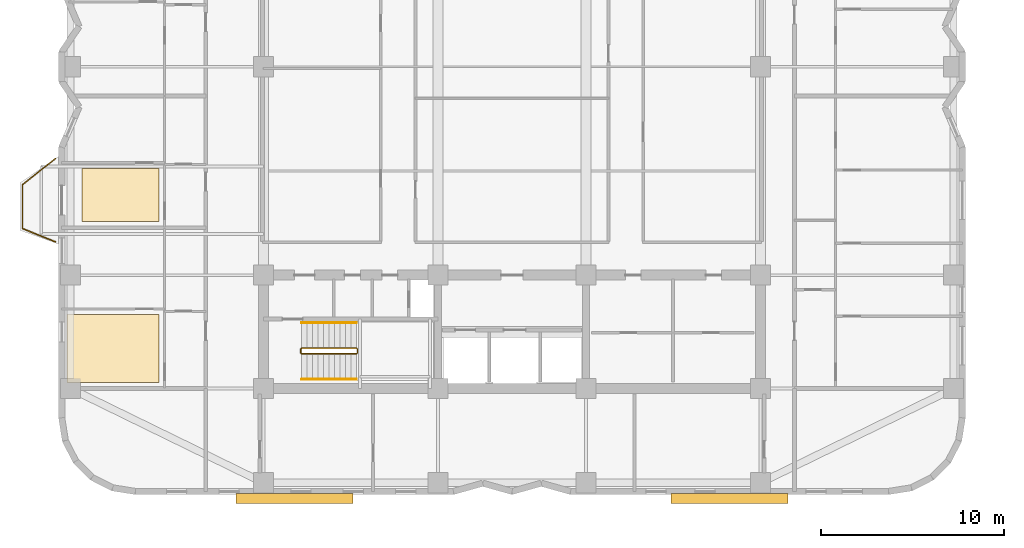
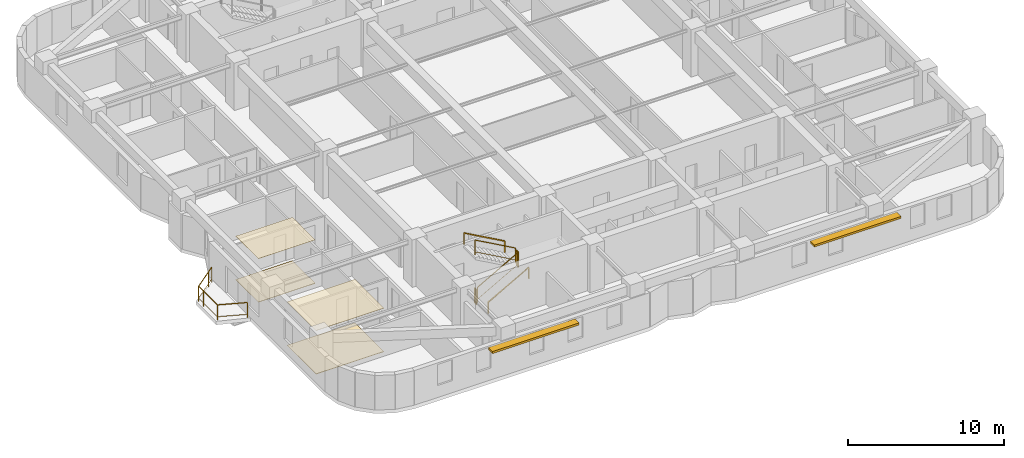
# One storey, part 9 of 10: 7 railings, 4 coverings, 2 shading devices.
"""IFC4 building model written with IfcOpenShell, lengths in metres."""

from ifc_helpers import new_model, si_unit, direction, frame, origin, origin_2d, place, context, subcontext, project, spatial, polyline, rectangle, outline, extrude, material, layer, layer_set, type_object, element, save


model = new_model("IFC4")

# Units and contexts
model_context = context("Model", 3, precision=1e-05, world=origin(), true_north=direction((0.0, 1.0)))
body_context = subcontext(model_context, "Body", "Model", "MODEL_VIEW")
ifc_project = project(units=[si_unit("LENGTHUNIT", "METRE"), si_unit("AREAUNIT", "SQUARE_METRE"), si_unit("VOLUMEUNIT", "CUBIC_METRE"), si_unit("PLANEANGLEUNIT", "RADIAN"), si_unit("MASSUNIT", "GRAM", prefix="KILO")], contexts=[model_context])

# Site, building, storey
site_placement = place(None, origin())
site = spatial("IfcSite", under=ifc_project, at=site_placement, CompositionType="ELEMENT")
building_placement = place(site_placement, origin())
building = spatial("IfcBuilding", under=site, at=building_placement, Name="Svetorya Sky Lyceum", CompositionType="ELEMENT")
storey_placement = place(building_placement, frame((0.0, 0.0, 95.699951171875)))
storey = spatial("IfcBuildingStorey", under=building, at=storey_placement, Name="L23", CompositionType="ELEMENT", Elevation=95.699951171875)

# Coverings
ifc_material_1 = material(Name="Perforated acoustic gypsum ceiling board")
ifc_layer_1 = layer(ifc_material_1, 0.01806640625)
ifc_layer_set_1 = layer_set([ifc_layer_1], Name="Perforated acoustic gypsum ceiling board")
covering_type_1 = type_object("IfcCoveringType", Name="COV-CLG-GYP", PredefinedType="CEILING", material=ifc_layer_set_1)
covering_1_placement = place(storey_placement, frame((0.0, 0.0, 3.402099609375)))
element("IfcCovering", 1, at=covering_1_placement, inside=storey, type_object=covering_type_1, Name="Apartment W1 Living Room Acoustic Ceiling", PredefinedType="CEILING", context=body_context, shape_type="SweptSolid", body=[
    extrude(outline(polyline([(14.8701171875, 10.929931640625), (19.889892578125, 10.929931640625), (19.889892578125, 14.639892578125), (14.8701171875, 14.639892578125), (14.8701171875, 10.929931640625)])), origin(), (0.0, 0.0, 1.0), 0.01806640625),
])
covering_2_placement = place(storey_placement, frame((0.0, 0.0, 3.402099609375)))
element("IfcCovering", 2, at=covering_2_placement, inside=storey, type_object=covering_type_1, Name="Apartment W2 Living Room Acoustic Ceiling", PredefinedType="CEILING", context=body_context, shape_type="SweptSolid", body=[
    extrude(outline(polyline([(15.6904296875, 19.72998046875), (19.889892578125, 19.72998046875), (19.889892578125, 22.639892578125), (15.6904296875, 22.639892578125), (15.6904296875, 19.72998046875)])), origin(), (0.0, 0.0, 1.0), 0.01806640625),
])
ifc_material_2 = material(Name="Honed Karelian granite terrazzo flooring", Category="masonry")
ifc_layer_2 = layer(ifc_material_2, 0.030029296875)
ifc_layer_set_2 = layer_set([ifc_layer_2], Name="Honed Karelian granite terrazzo flooring")
covering_type_2 = type_object("IfcCoveringType", Name="COV-FLR-TER", PredefinedType="FLOORING", material=ifc_layer_set_2)
covering_3_placement = place(storey_placement, origin())
element("IfcCovering", 3, at=covering_3_placement, inside=storey, type_object=covering_type_2, Name="Apartment W1 Living Room Architectural Flooring", PredefinedType="FLOORING", context=body_context, shape_type="SweptSolid", body=[
    extrude(outline(polyline([(14.8701171875, 10.929931640625), (19.889892578125, 10.929931640625), (19.889892578125, 14.639892578125), (14.8701171875, 14.639892578125), (14.8701171875, 10.929931640625)])), origin(), (0.0, 0.0, 1.0), 0.030029296875),
])
covering_4_placement = place(storey_placement, origin())
element("IfcCovering", 4, at=covering_4_placement, inside=storey, type_object=covering_type_2, Name="Apartment W2 Living Room Architectural Flooring", PredefinedType="FLOORING", context=body_context, shape_type="SweptSolid", body=[
    extrude(outline(polyline([(15.6904296875, 19.72998046875), (19.889892578125, 19.72998046875), (19.889892578125, 22.639892578125), (15.6904296875, 22.639892578125), (15.6904296875, 19.72998046875)])), origin(), (0.0, 0.0, 1.0), 0.030029296875),
])

# Railings
ifc_material_3 = material(Name="Laminated safety glass and stainless AISI 316", Category="glass")
railing_type_1 = type_object("IfcRailingType", Name="RL-BAL-1200", PredefinedType="BALUSTRADE", material=ifc_material_3)
railing_1_placement = place(storey_placement, frame((14.22998046875, 18.6201171875, 0.0)))
element("IfcRailing", 5, at=railing_1_placement, inside=storey, type_object=railing_type_1, Name="L23 Balcony Balustrade BAL-W1", PredefinedType="BALUSTRADE", context=body_context, shape_type="SweptSolid", body=[
    extrude(rectangle(XDim=0.048095703125, YDim=0.048095703125, at=origin_2d()), frame((0.0, 0.0, 1.17578125), z_axis=(-0.926697865975, 0.375807218129, 0.0), x_axis=(-0.375807218129, -0.926697865975, 0.0)), (0.0, 0.0, 1.0), 1.9423828125),
    extrude(rectangle(XDim=0.02392578125, YDim=0.02392578125, at=origin_2d()), frame((0.0, 0.0, 0.25), z_axis=(-0.926697865975, 0.375807218129, 0.0), x_axis=(-0.375807218129, -0.926697865975, 0.0)), (0.0, 0.0, 1.0), 1.9423828125),
    extrude(rectangle(XDim=0.048095703125, YDim=0.048095703125, at=origin_2d()), frame((-1.800048828125, 0.72998046875, 1.17578125), z_axis=(0.0, 1.0, 0.0), x_axis=(-1.0, 0.0, 0.0)), (0.0, 0.0, 1.0), 2.39990234375),
    extrude(rectangle(XDim=0.02392578125, YDim=0.02392578125, at=origin_2d()), frame((-1.800048828125, 0.72998046875, 0.25), z_axis=(0.0, 1.0, 0.0), x_axis=(-1.0, 0.0, 0.0)), (0.0, 0.0, 1.0), 2.39990234375),
    extrude(rectangle(XDim=0.048095703125, YDim=0.048095703125, at=origin_2d()), frame((-1.800048828125, 3.1298828125, 1.17578125), z_axis=(0.783008919264, 0.622010476079, 0.0), x_axis=(-0.622010476079, 0.783008919264, 0.0)), (0.0, 0.0, 1.0), 2.298828125),
    extrude(rectangle(XDim=0.02392578125, YDim=0.02392578125, at=origin_2d()), frame((-1.800048828125, 3.1298828125, 0.25), z_axis=(0.783008919264, 0.622010476079, 0.0), x_axis=(-0.622010476079, 0.783008919264, 0.0)), (0.0, 0.0, 1.0), 2.298828125),
    extrude(rectangle(XDim=0.0419921875, YDim=0.0419921875, at=origin_2d()), origin(), (0.0, 0.0, 1.0), 1.15185546875),
    extrude(rectangle(XDim=0.0419921875, YDim=0.0419921875, at=origin_2d()), frame((-1.800048828125, 0.72998046875, 0.0)), (0.0, 0.0, 1.0), 1.15185546875),
    extrude(rectangle(XDim=0.0419921875, YDim=0.0419921875, at=origin_2d()), frame((-1.800048828125, 2.47998046875, 0.0)), (0.0, 0.0, 1.0), 1.15185546875),
    extrude(rectangle(XDim=0.0419921875, YDim=0.0419921875, at=origin_2d()), frame((-1.800048828125, 3.1298828125, 0.0)), (0.0, 0.0, 1.0), 1.15185546875),
    extrude(rectangle(XDim=0.0419921875, YDim=0.0419921875, at=origin_2d()), frame((-0.4296875, 4.218505859375, 0.0)), (0.0, 0.0, 1.0), 1.15185546875),
    extrude(rectangle(XDim=0.0419921875, YDim=0.0419921875, at=origin_2d()), frame((0.0, 4.559814453125, 0.0)), (0.0, 0.0, 1.0), 1.15185546875),
])
ifc_material_4 = material(Name="Painted galvanized stair well guard")
railing_type_2 = type_object("IfcRailingType", Name="RL-STR-GUARD-1200", PredefinedType="GUARDRAIL", material=ifc_material_4)
railing_2_placement = place(storey_placement, frame((27.699951171875, 12.5, 0.168212890625)))
element("IfcRailing", 6, at=railing_2_placement, inside=storey, type_object=railing_type_2, Name="L23 ST-S stair guard 1", PredefinedType="GUARDRAIL", context=body_context, shape_type="SweptSolid", body=[
    extrude(rectangle(XDim=0.048095703125, YDim=0.048095703125, at=origin_2d()), frame((0.0, 0.0, 1.17578125), z_axis=(0.872272294576, 0.0, 0.489020494575), x_axis=(0.0, 1.0, 0.0)), (0.0, 0.0, 1.0), 3.439208984375),
    extrude(rectangle(XDim=0.02392578125, YDim=0.02392578125, at=origin_2d()), frame((0.0, 0.0, 0.25), z_axis=(0.872272294576, 0.0, 0.489020494575), x_axis=(0.0, 1.0, 0.0)), (0.0, 0.0, 1.0), 3.439208984375),
    extrude(rectangle(XDim=0.0419921875, YDim=0.0419921875, at=origin_2d()), origin(), (0.0, 0.0, 1.0), 1.15185546875),
    extrude(rectangle(XDim=0.0419921875, YDim=0.0419921875, at=origin_2d()), frame((3.0, 0.0, 1.681884765625)), (0.0, 0.0, 1.0), 1.15185546875),
])
railing_3_placement = place(storey_placement, frame((30.75, 12.550048828125, 1.85009765625)))
element("IfcRailing", 7, at=railing_3_placement, inside=storey, type_object=railing_type_2, Name="L23 ST-S stair guard 2", PredefinedType="GUARDRAIL", context=body_context, shape_type="SweptSolid", body=[
    extrude(rectangle(XDim=0.048095703125, YDim=0.048095703125, at=origin_2d()), frame((0.0, 0.0, 1.17578125), z_axis=(0.0, 1.0, 0.0), x_axis=(-1.0, 0.0, 0.0)), (0.0, 0.0, 1.0), 0.199951171875),
    extrude(rectangle(XDim=0.02392578125, YDim=0.02392578125, at=origin_2d()), frame((0.0, 0.0, 0.25), z_axis=(0.0, 1.0, 0.0), x_axis=(-1.0, 0.0, 0.0)), (0.0, 0.0, 1.0), 0.199951171875),
    extrude(rectangle(XDim=0.0419921875, YDim=0.0419921875, at=origin_2d()), origin(), (0.0, 0.0, 1.0), 1.15185546875),
    extrude(rectangle(XDim=0.0419921875, YDim=0.0419921875, at=origin_2d()), frame((0.0, 0.199951171875, 0.0)), (0.0, 0.0, 1.0), 1.15185546875),
])
railing_4_placement = place(storey_placement, frame((30.699951171875, 12.800048828125, 2.018310546875)))
element("IfcRailing", 8, at=railing_4_placement, inside=storey, type_object=railing_type_2, Name="L23 ST-S stair guard 3", PredefinedType="GUARDRAIL", context=body_context, shape_type="SweptSolid", body=[
    extrude(rectangle(XDim=0.048095703125, YDim=0.048095703125, at=origin_2d()), frame((0.0, 0.0, 1.17578125), z_axis=(-0.872302573547, 0.0, 0.488966481656), x_axis=(0.0, -1.0, 0.0)), (0.0, 0.0, 1.0), 3.439208984375),
    extrude(rectangle(XDim=0.02392578125, YDim=0.02392578125, at=origin_2d()), frame((0.0, 0.0, 0.25), z_axis=(-0.872302573547, 0.0, 0.488966481656), x_axis=(0.0, -1.0, 0.0)), (0.0, 0.0, 1.0), 3.439208984375),
    extrude(rectangle(XDim=0.0419921875, YDim=0.0419921875, at=origin_2d()), origin(), (0.0, 0.0, 1.0), 1.15185546875),
    extrude(rectangle(XDim=0.0419921875, YDim=0.0419921875, at=origin_2d()), frame((-3.0, 0.0, 1.681640625)), (0.0, 0.0, 1.0), 1.15185546875),
])
railing_5_placement = place(storey_placement, frame((27.64990234375, 12.550048828125, 0.0)))
element("IfcRailing", 9, at=railing_5_placement, inside=storey, type_object=railing_type_2, Name="L23 ST-S stair guard 4", PredefinedType="GUARDRAIL", context=body_context, shape_type="SweptSolid", body=[
    extrude(rectangle(XDim=0.048095703125, YDim=0.048095703125, at=origin_2d()), frame((0.0, 0.0, 1.17578125), z_axis=(0.0, 1.0, 0.0), x_axis=(-1.0, 0.0, 0.0)), (0.0, 0.0, 1.0), 0.199951171875),
    extrude(rectangle(XDim=0.02392578125, YDim=0.02392578125, at=origin_2d()), frame((0.0, 0.0, 0.25), z_axis=(0.0, 1.0, 0.0), x_axis=(-1.0, 0.0, 0.0)), (0.0, 0.0, 1.0), 0.199951171875),
    extrude(rectangle(XDim=0.0419921875, YDim=0.0419921875, at=origin_2d()), origin(), (0.0, 0.0, 1.0), 1.15185546875),
    extrude(rectangle(XDim=0.0419921875, YDim=0.0419921875, at=origin_2d()), frame((0.0, 0.199951171875, 0.0)), (0.0, 0.0, 1.0), 1.15185546875),
])
ifc_material_5 = material(Name="Brushed stainless AISI 304 stair handrail")
railing_type_3 = type_object("IfcRailingType", Name="RL-STR-HAND-920", PredefinedType="HANDRAIL", material=ifc_material_5)
railing_6_placement = place(storey_placement, frame((27.699951171875, 11.10009765625, 0.168212890625)))
element("IfcRailing", 10, at=railing_6_placement, inside=storey, type_object=railing_type_3, Name="L23 ST-S stair handrail 1", PredefinedType="HANDRAIL", context=body_context, shape_type="SweptSolid", body=[
    extrude(rectangle(XDim=0.048095703125, YDim=0.048095703125, at=origin_2d()), frame((0.0, 0.0, 0.8759765625), z_axis=(0.872272294576, 0.0, 0.489020494575), x_axis=(0.0, 1.0, 0.0)), (0.0, 0.0, 1.0), 3.439208984375),
    extrude(rectangle(XDim=0.0419921875, YDim=0.0419921875, at=origin_2d()), origin(), (0.0, 0.0, 1.0), 0.851806640625),
    extrude(rectangle(XDim=0.0419921875, YDim=0.0419921875, at=origin_2d()), frame((3.0, 0.0, 1.681884765625)), (0.0, 0.0, 1.0), 0.851806640625),
])
railing_7_placement = place(storey_placement, frame((30.699951171875, 14.199951171875, 2.018310546875)))
element("IfcRailing", 11, at=railing_7_placement, inside=storey, type_object=railing_type_3, Name="L23 ST-S stair handrail 2", PredefinedType="HANDRAIL", context=body_context, shape_type="SweptSolid", body=[
    extrude(rectangle(XDim=0.048095703125, YDim=0.048095703125, at=origin_2d()), frame((0.0, 0.0, 0.8759765625), z_axis=(-0.872302573547, 0.0, 0.488966481656), x_axis=(0.0, -1.0, 0.0)), (0.0, 0.0, 1.0), 3.439208984375),
    extrude(rectangle(XDim=0.0419921875, YDim=0.0419921875, at=origin_2d()), origin(), (0.0, 0.0, 1.0), 0.851806640625),
    extrude(rectangle(XDim=0.0419921875, YDim=0.0419921875, at=origin_2d()), frame((-3.0, 0.0, 1.681640625)), (0.0, 0.0, 1.0), 0.851806640625),
])

# Shading devices
ifc_material_6 = material(Name="Champagne-anodized extruded aluminium sunshade", Category="aluminium")
ifc_layer_3 = layer(ifc_material_6, 0.159912109375)
ifc_layer_set_3 = layer_set([ifc_layer_3], Name="Champagne-anodized extruded aluminium sunshade")
shading_device_type = type_object("IfcShadingDeviceType", Name="SHD-LVR-540", PredefinedType="AWNING", material=ifc_layer_set_3)
for number, where, z_axis, x_axis, name in (
    (12, (27.300048828125, 4.580078125, 2.39990234375), (0.0, 0.0, 1.0), (1.0, 0.0, 0.0), "L23 Solar Brise-Soleil SHD-1.6M"),
    (13, (51.10009765625, 4.580078125, 2.39990234375), (0.0, 0.0, 1.0), (1.0, 0.0, 0.0), "L23 Solar Brise-Soleil SHD-1.11M"),
):
    element("IfcShadingDevice", number, at=place(storey_placement, frame(where, z_axis=z_axis, x_axis=x_axis)), inside=storey, type_object=shading_device_type, Name=name, PredefinedType="AWNING", context=body_context, shape_type="SweptSolid", body=[
        extrude(rectangle(XDim=6.39990234375, YDim=0.5400390625, at=origin_2d()), origin(), (0.0, 0.0, 1.0), 0.159912109375),
    ])

save(model, "model.ifc")
